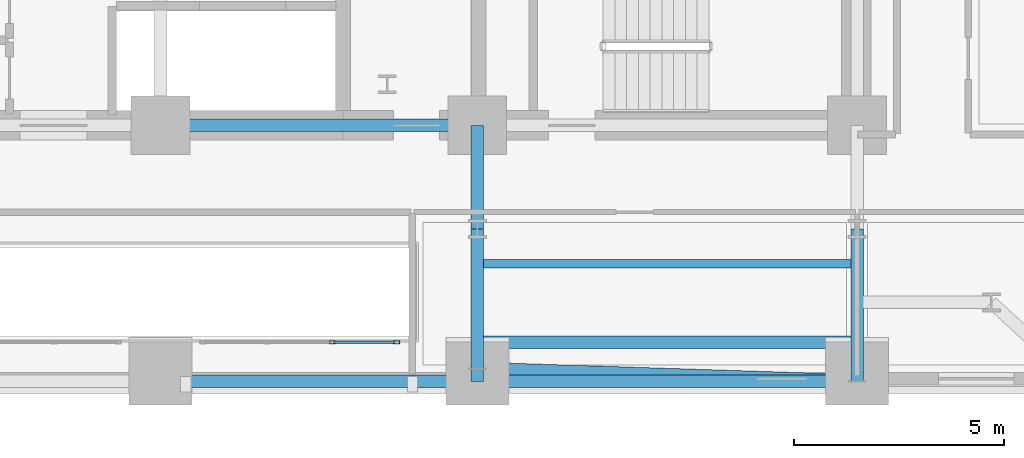
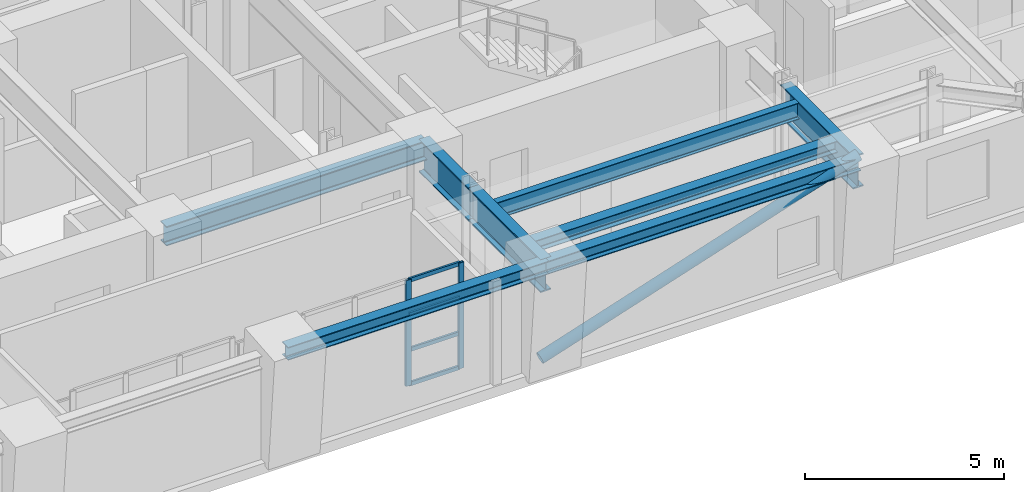
# One storey, part 4 of 16: 8 beams, 7 members, 1 element without a shape of its own.
"""IFC4 building model written with IfcOpenShell, lengths in metres."""

import ifcopenshell
import ifcopenshell.guid

model = None  # the IFC model being written
_history = None  # IfcOwnerHistory: only IFC2X3 demands one
_inside = {}  # id of a spatial element -> (the spatial element, [elements in it])
_under = {}  # id of a project, library or spatial element -> (it, [spatial elements below it])
_declared = {}  # id of a project -> (the project, [libraries it declares])
_typed = {}  # id of a type object -> (the type object, [elements of that type])
_made_of = {}  # id of a material, layer set ... -> (it, [elements and type objects made of it])


def new_model(schema):
    """Start an empty IFC model of exactly this schema.

    Asked for "IFC4X3", IfcOpenShell would pick the latest addendum, in which some entities
    have other attributes; the version numbers below select the first issue.
    IFC2X3 requires an IfcOwnerHistory on every rooted entity: one is made here for all.
    """
    global model, _history
    if schema == "IFC4X3":
        model = ifcopenshell.file(schema_version=(4, 3, 0, 0))
    else:
        model = ifcopenshell.file(schema=schema)
    _inside.clear()
    _under.clear()
    _declared.clear()
    _typed.clear()
    _made_of.clear()
    _history = None
    if model.schema == "IFC2X3":
        org = make("IfcOrganization", Name="unknown")
        user = make(
            "IfcPersonAndOrganization",
            ThePerson=make("IfcPerson", FamilyName="unknown"),
            TheOrganization=org,
        )
        app = make(
            "IfcApplication",
            ApplicationDeveloper=org,
            Version="unknown",
            ApplicationFullName="unknown",
            ApplicationIdentifier="unknown",
        )
        _history = make(
            "IfcOwnerHistory",
            OwningUser=user,
            OwningApplication=app,
            ChangeAction="ADDED",
            CreationDate=0,
        )
    return model


def make(cls, **values):
    """One entity of the class cls with the attributes given. An attribute that is None is left unset."""
    return model.create_entity(
        cls, **{name: value for name, value in values.items() if value is not None}
    )


def rooted(cls, **values):
    """An entity with a GlobalId (a new one), such as an element, a storey or a relation."""
    return make(cls, GlobalId=ifcopenshell.guid.new(), OwnerHistory=_history, **values)


def si_unit(unit_type, name, prefix=None):
    """IfcSIUnit, for example si_unit("LENGTHUNIT", "METRE", prefix="MILLI")."""
    return make("IfcSIUnit", UnitType=unit_type, Prefix=prefix, Name=name)


def assignment(units):
    """IfcUnitAssignment: the units of a project."""
    return None if units is None else make("IfcUnitAssignment", Units=units)


def point(xyz):
    """IfcCartesianPoint."""
    return None if xyz is None else make("IfcCartesianPoint", Coordinates=xyz)


def direction(xyz):
    """IfcDirection."""
    return None if xyz is None else make("IfcDirection", DirectionRatios=xyz)


def frame(location, z_axis=None, x_axis=None):
    """IfcAxis2Placement3D, a coordinate frame: its origin and axes. An axis left out is left unset."""
    return make(
        "IfcAxis2Placement3D",
        Location=point(location),
        Axis=direction(z_axis),
        RefDirection=direction(x_axis),
    )


def frame_2d(location, x_axis=None):
    """IfcAxis2Placement2D, a coordinate frame in the plane: its origin and x axis."""
    return make(
        "IfcAxis2Placement2D", Location=point(location), RefDirection=direction(x_axis)
    )


def origin():
    """The frame at (0, 0, 0) with its axes left unset."""
    return frame((0.0, 0.0, 0.0))


def origin_2d():
    """The frame at (0, 0) in the plane with its x axis left unset."""
    return frame_2d((0.0, 0.0))


def place(relative_to, where):
    """IfcLocalPlacement: puts the frame where relative to a parent placement (None: the world)."""
    return make(
        "IfcLocalPlacement", PlacementRelTo=relative_to, RelativePlacement=where
    )


def context(
    kind, dimensions, precision=None, world=None, true_north=None, identifier=None
):
    """IfcGeometricRepresentationContext, for example the 3D "Model" context."""
    return make(
        "IfcGeometricRepresentationContext",
        ContextIdentifier=identifier,
        ContextType=kind,
        CoordinateSpaceDimension=dimensions,
        Precision=precision,
        WorldCoordinateSystem=world,
        TrueNorth=true_north,
    )


def subcontext(parent, identifier, kind, view, scale=None):
    """IfcGeometricRepresentationSubContext, for example "Body" below "Model"."""
    return make(
        "IfcGeometricRepresentationSubContext",
        ContextIdentifier=identifier,
        ContextType=kind,
        ParentContext=parent,
        TargetScale=scale,
        TargetView=view,
    )


def project(units=None, contexts=None):
    """IfcProject with its units and contexts."""
    return rooted(
        "IfcProject",
        Name="project",
        RepresentationContexts=contexts,
        UnitsInContext=assignment(units),
    )


def spatial(cls, under=None, at=None, **own):
    """A site, building, storey or space (cls), placed at a placement, below another one or the project."""
    s = rooted(cls, ObjectPlacement=at, **own)
    if under is not None:
        _under.setdefault(under.id(), (under, []))[1].append(s)
    return s


def profile(cls, at=None, kind="AREA", **sizes):
    """A parametric profile (cls). Its sizes go by their IFC names, for example OverallWidth=200.0."""
    return make(cls, ProfileType=kind, Position=at, **sizes)


def hollow_rectangle(**sizes):
    """IfcRectangleHollowProfileDef."""
    return profile("IfcRectangleHollowProfileDef", **sizes)


def hollow_circle(**sizes):
    """IfcCircleHollowProfileDef."""
    return profile("IfcCircleHollowProfileDef", **sizes)


def i_section(**sizes):
    """IfcIShapeProfileDef."""
    return profile("IfcIShapeProfileDef", **sizes)


def extrude(swept, where, along, depth):
    """IfcExtrudedAreaSolid: the profile swept, set in the frame where, extruded along a direction by depth."""
    return make(
        "IfcExtrudedAreaSolid",
        SweptArea=swept,
        Position=where,
        ExtrudedDirection=direction(along),
        Depth=depth,
    )


def shape(context_of_items, identifier, shape_type, items):
    """IfcShapeRepresentation: the items that make up one representation, for example the "Body"."""
    return make(
        "IfcShapeRepresentation",
        ContextOfItems=context_of_items,
        RepresentationIdentifier=identifier,
        RepresentationType=shape_type,
        Items=items,
    )


def material(Name=None, Category=None):
    """IfcMaterial."""
    return make("IfcMaterial", Name=Name, Category=Category)


def layer(
    of_material, thickness, ventilated=None, Name=None, Category=None, Priority=None
):
    """IfcMaterialLayer: one layer of a wall or slab, of a material (None: an air gap)."""
    return make(
        "IfcMaterialLayer",
        Material=of_material,
        LayerThickness=thickness,
        IsVentilated=ventilated,
        Name=Name,
        Category=Category,
        Priority=Priority,
    )


def layer_set(layers, Name=None):
    """IfcMaterialLayerSet."""
    return make("IfcMaterialLayerSet", MaterialLayers=layers, LayerSetName=Name)


def material_profile(
    of_material, cross_section, Name=None, Category=None, Priority=None
):
    """IfcMaterialProfile: a cross section and its material."""
    return make(
        "IfcMaterialProfile",
        Name=Name,
        Material=of_material,
        Profile=cross_section,
        Priority=Priority,
        Category=Category,
    )


def profile_set(profiles, Name=None, composite=None):
    """IfcMaterialProfileSet."""
    return make(
        "IfcMaterialProfileSet",
        Name=Name,
        MaterialProfiles=profiles,
        CompositeProfile=composite,
    )


def made_of(thing, what):
    """Note that an element or type object is made of a material, layer set ...; save() writes the relation."""
    if what is not None:
        _made_of.setdefault(what.id(), (what, []))[1].append(thing)
    return thing


def type_object(cls, material=None, **own):
    """A type object (cls), such as IfcWallType, which elements share."""
    return made_of(rooted(cls, **own), material)


def element(
    cls,
    number,
    at=None,
    inside=None,
    cuts=None,
    type_object=None,
    material=None,
    context=None,
    identifier="Body",
    shape_type=None,
    held_by="IfcProductDefinitionShape",
    body=None,
    shapes=None,
    **own,
):
    """One element of the class cls, such as IfcWall. Its Tag is "e" and its number.

    at: its placement. inside: the storey or other place that contains it. cuts: it is an
    opening in that element (IfcRelVoidsElement). A single representation is given by context,
    identifier, shape_type and body (its items); several are given by shapes. held_by: the class
    of the entity that holds the representations. save() writes the other relations.
    """
    e = rooted(cls, Tag="e%d" % number, ObjectPlacement=at, **own)
    if body is not None:
        shapes = [shape(context, identifier, shape_type, body)]
    if shapes is not None:
        e.Representation = make(held_by, Representations=shapes)
    if inside is not None:
        _inside.setdefault(inside.id(), (inside, []))[1].append(e)
    if cuts is not None:
        rooted(
            "IfcRelVoidsElement", RelatingBuildingElement=cuts, RelatedOpeningElement=e
        )
    if type_object is not None:
        _typed.setdefault(type_object.id(), (type_object, []))[1].append(e)
    return made_of(e, material)


def aggregate(whole, parts):
    """IfcRelAggregates: a whole, such as a stair, and the parts it consists of."""
    return rooted("IfcRelAggregates", RelatingObject=whole, RelatedObjects=parts)


def save(model, path):
    """Write the relations noted so far, then the file.

    IfcRelAggregates (storeys below a building ...), IfcRelContainedInSpatialStructure (elements
    in a storey), IfcRelDefinesByType, IfcRelAssociatesMaterial and IfcRelDeclares: one each for
    every whole, place, type object, material and project.
    """
    for whole, parts in _under.values():
        aggregate(whole, parts)
    for where, things in _inside.values():
        rooted(
            "IfcRelContainedInSpatialStructure",
            RelatedElements=things,
            RelatingStructure=where,
        )
    for kind, things in _typed.values():
        rooted("IfcRelDefinesByType", RelatedObjects=things, RelatingType=kind)
    for what, things in _made_of.values():
        rooted("IfcRelAssociatesMaterial", RelatedObjects=things, RelatingMaterial=what)
    for by, libraries in _declared.values():
        rooted("IfcRelDeclares", RelatingContext=by, RelatedDefinitions=libraries)
    model.write(path)


model = new_model("IFC4")

# Units and contexts
model_context = context("Model", 3, precision=1e-05, world=origin(), true_north=direction((0.0, 1.0)))
body_context = subcontext(model_context, "Body", "Model", "MODEL_VIEW")
ifc_project = project(units=[si_unit("LENGTHUNIT", "METRE"), si_unit("AREAUNIT", "SQUARE_METRE"), si_unit("VOLUMEUNIT", "CUBIC_METRE"), si_unit("PLANEANGLEUNIT", "RADIAN"), si_unit("MASSUNIT", "GRAM", prefix="KILO")], contexts=[model_context])

# Site, building, storey
site_placement = place(None, origin())
site = spatial("IfcSite", under=ifc_project, at=site_placement, CompositionType="ELEMENT")
building_placement = place(site_placement, origin())
building = spatial("IfcBuilding", under=site, at=building_placement, Name="Zarnavel Station Tower", CompositionType="ELEMENT")
storey_placement = place(building_placement, frame((0.0, 0.0, 46.5)))
storey = spatial("IfcBuildingStorey", under=building, at=storey_placement, Name="L12", CompositionType="ELEMENT", Elevation=46.5)

# Curtain wall, members
ifc_material_1 = material(Name="Aluminium Dark Anodised and Solar-Control Glass", Category="aluminium")
ifc_layer = layer(ifc_material_1, 0.179931640625)
ifc_layer_set = layer_set([ifc_layer], Name="CWS2")
curtain_wall_type = type_object("IfcCurtainWallType", Name="CWS2", PredefinedType="NOTDEFINED", material=ifc_layer_set)
curtain_wall_placement = place(storey_placement, origin())
curtain_wall = element("IfcCurtainWall", 1, at=curtain_wall_placement, inside=storey, type_object=curtain_wall_type, Name="L12 Curtain Wall CWS2-L12-AS-S2", PredefinedType="NOTDEFINED")
ifc_material_2 = material(Name="Steel S355J2 (Black Fluoropolymer Coated)", Category="steel")
ifc_material_profile_1 = material_profile(ifc_material_2, hollow_rectangle(XDim=0.074951171875, YDim=0.14990234375, WallThickness=0.00634765625, at=origin_2d()), Name="RHS150x75x6.3")
ifc_profile_set_1 = profile_set([ifc_material_profile_1], Name="Steel S355J2 (Black Fluoropolymer Coated)")
member_type_1 = type_object("IfcMemberType", Name="CWS2_MUL", PredefinedType="MULLION", material=ifc_profile_set_1)
member_1_placement = place(storey_placement, frame((32.893310546875, 22.64990234375, 0.0), z_axis=(0.0, 0.0, 1.0), x_axis=(0.0, 1.0, 0.0)))
member_1 = element("IfcMember", 2, at=member_1_placement, type_object=member_type_1, Name="CW2 mullion 3", PredefinedType="MULLION", context=body_context, shape_type="SweptSolid", body=[
    extrude(hollow_rectangle(XDim=0.074951171875, YDim=0.14990234375, WallThickness=0.00634765625, at=origin_2d()), origin(), (0.0, 0.0, 1.0), 3.239990234375),
])
member_2_placement = place(storey_placement, frame((34.419921875, 22.64990234375, 0.0), z_axis=(0.0, 0.0, 1.0), x_axis=(0.0, 1.0, 0.0)))
member_2 = element("IfcMember", 3, at=member_2_placement, type_object=member_type_1, Name="CW2 mullion 4", PredefinedType="MULLION", context=body_context, shape_type="SweptSolid", body=[
    extrude(hollow_rectangle(XDim=0.074951171875, YDim=0.14990234375, WallThickness=0.00634765625, at=origin_2d()), origin(), (0.0, 0.0, 1.0), 3.239990234375),
])
ifc_material_3 = material(Name="Steel S355J2 (Black Fluoropolymer Coated)", Category="steel")
ifc_material_profile_2 = material_profile(ifc_material_3, hollow_rectangle(XDim=0.06005859375, YDim=0.1201171875, WallThickness=0.0048828125, at=origin_2d()), Name="RHS120x60x5")
ifc_profile_set_2 = profile_set([ifc_material_profile_2], Name="Steel S355J2 (Black Fluoropolymer Coated)")
member_type_2 = type_object("IfcMemberType", Name="CWS2_TRN", PredefinedType="USERDEFINED", material=ifc_profile_set_2)
member_3_placement = place(storey_placement, frame((32.92333984375, 22.64990234375, 0.030029296875), z_axis=(1.0, 0.0, 0.0), x_axis=(0.0, 1.0, 0.0)))
member_3 = element("IfcMember", 4, at=member_3_placement, type_object=member_type_2, Name="CW2 transom 3.1", ObjectType="TRANSOM", PredefinedType="USERDEFINED", context=body_context, shape_type="SweptSolid", body=[
    extrude(hollow_rectangle(XDim=0.06005859375, YDim=0.1201171875, WallThickness=0.0048828125, at=origin_2d()), origin(), (0.0, 0.0, 1.0), 1.466552734375),
])
member_4_placement = place(storey_placement, frame((32.92333984375, 22.64990234375, 1.080078125), z_axis=(1.0, 0.0, 0.0), x_axis=(0.0, 1.0, 0.0)))
member_4 = element("IfcMember", 5, at=member_4_placement, type_object=member_type_2, Name="CW2 transom 3.2", ObjectType="TRANSOM", PredefinedType="USERDEFINED", context=body_context, shape_type="SweptSolid", body=[
    extrude(hollow_rectangle(XDim=0.06005859375, YDim=0.1201171875, WallThickness=0.0048828125, at=origin_2d()), origin(), (0.0, 0.0, 1.0), 1.466552734375),
])
member_5_placement = place(storey_placement, frame((32.92333984375, 22.64990234375, 2.159912109375), z_axis=(1.0, 0.0, 0.0), x_axis=(0.0, 1.0, 0.0)))
member_5 = element("IfcMember", 6, at=member_5_placement, type_object=member_type_2, Name="CW2 transom 3.3", ObjectType="TRANSOM", PredefinedType="USERDEFINED", context=body_context, shape_type="SweptSolid", body=[
    extrude(hollow_rectangle(XDim=0.06005859375, YDim=0.1201171875, WallThickness=0.0048828125, at=origin_2d()), origin(), (0.0, 0.0, 1.0), 1.466552734375),
])
member_6_placement = place(storey_placement, frame((32.92333984375, 22.64990234375, 3.2099609375), z_axis=(1.0, 0.0, 0.0), x_axis=(0.0, 1.0, 0.0)))
member_6 = element("IfcMember", 7, at=member_6_placement, type_object=member_type_2, Name="CW2 transom 3.4", ObjectType="TRANSOM", PredefinedType="USERDEFINED", context=body_context, shape_type="SweptSolid", body=[
    extrude(hollow_rectangle(XDim=0.06005859375, YDim=0.1201171875, WallThickness=0.0048828125, at=origin_2d()), origin(), (0.0, 0.0, 1.0), 1.466552734375),
])
aggregate(curtain_wall, [member_1, member_2, member_3, member_4, member_5, member_6])

# Member
ifc_material_4 = material(Name="Steel S355J2", Category="steel")
ifc_material_profile_3 = material_profile(ifc_material_4, hollow_circle(Radius=0.161865234375, WallThickness=0.012451171875, at=origin_2d()), Name="CHS323.9x12.5")
ifc_profile_set_3 = profile_set([ifc_material_profile_3], Name="Steel S355J2")
member_type_3 = type_object("IfcMemberType", Name="DB_EXT_CHS324", PredefinedType="BRACE", material=ifc_profile_set_3)
member_7_placement = place(storey_placement, frame((36.35009765625, 22.01416015625, 0.0), z_axis=(0.94104157458, -0.030540439576, 0.336909537505), x_axis=(0.032436790978, 0.999473788846, 0.0)))
element("IfcMember", 8, at=member_7_placement, inside=storey, type_object=member_type_3, Name="L12 Persian Exterior Diagonal Frame Brace 2", PredefinedType="BRACE", context=body_context, shape_type="SweptSolid", body=[
    extrude(hollow_circle(Radius=0.161865234375, WallThickness=0.012451171875, at=origin_2d()), origin(), (0.0, 0.0, 1.0), 9.61669921875),
])

# Beams
ifc_material_5 = material(Name="Steel S355J2", Category="steel")
ifc_material_profile_4 = material_profile(ifc_material_5, i_section(OverallWidth=0.300048828125, OverallDepth=0.39990234375, WebThickness=0.013427734375, FlangeThickness=0.02392578125, FilletRadius=0.027099609375, at=origin_2d()), Name="HEB400")
ifc_profile_set_4 = profile_set([ifc_material_profile_4], Name="Steel S355J2")
beam_type_1 = type_object("IfcBeamType", Name="EB_HEB400", PredefinedType="SPANDREL", material=ifc_profile_set_4)
beam_1_placement = place(storey_placement, frame((28.800048828125, 21.720458984375, 3.0400390625), z_axis=(1.0, 0.0, 0.0), x_axis=(0.0, 1.0, 0.0)))
element("IfcBeam", 9, at=beam_1_placement, inside=storey, type_object=beam_type_1, Name="L12 South Raked Spandrel 3", PredefinedType="SPANDREL", context=body_context, shape_type="SweptSolid", body=[
    extrude(i_section(OverallWidth=0.300048828125, OverallDepth=0.39990234375, WebThickness=0.013427734375, FlangeThickness=0.02392578125, FilletRadius=0.027099609375, at=origin_2d()), origin(), (0.0, 0.0, 1.0), 7.550048828125),
])
beam_2_placement = place(storey_placement, frame((36.35009765625, 21.720458984375, 3.0400390625), z_axis=(1.0, 0.0, 0.0), x_axis=(0.0, 1.0, 0.0)))
element("IfcBeam", 10, at=beam_2_placement, inside=storey, type_object=beam_type_1, Name="L12 South Raked Spandrel 4", PredefinedType="SPANDREL", context=body_context, shape_type="SweptSolid", body=[
    extrude(i_section(OverallWidth=0.300048828125, OverallDepth=0.39990234375, WebThickness=0.013427734375, FlangeThickness=0.02392578125, FilletRadius=0.027099609375, at=origin_2d()), origin(), (0.0, 0.0, 1.0), 9.0498046875),
])
ifc_material_6 = material(Name="Steel S355J2", Category="steel")
ifc_material_profile_5 = material_profile(ifc_material_6, i_section(OverallWidth=0.300048828125, OverallDepth=0.35009765625, WebThickness=0.010009765625, FlangeThickness=0.017578125, FilletRadius=0.027099609375, at=origin_2d()), Name="HEA360")
ifc_profile_set_5 = profile_set([ifc_material_profile_5], Name="Steel S355J2")
beam_type_2 = type_object("IfcBeamType", Name="FB_HEA360", PredefinedType="BEAM", material=ifc_profile_set_5)
beam_3_placement = place(storey_placement, frame((36.4951171875, 22.64697265625, 3.06494140625), z_axis=(1.0, 0.0, 0.0), x_axis=(0.0, 1.0, 0.0)))
element("IfcBeam", 11, at=beam_3_placement, inside=storey, type_object=beam_type_2, Name="L12 East Bay Beam 1", PredefinedType="BEAM", context=body_context, shape_type="SweptSolid", body=[
    extrude(i_section(OverallWidth=0.300048828125, OverallDepth=0.35009765625, WebThickness=0.010009765625, FlangeThickness=0.017578125, FilletRadius=0.027099609375, at=origin_2d()), origin(), (0.0, 0.0, 1.0), 8.759765625),
])
ifc_material_7 = material(Name="Steel S355J2", Category="steel")
ifc_material_profile_6 = material_profile(ifc_material_7, i_section(OverallWidth=0.199951171875, OverallDepth=0.5, WebThickness=0.01025390625, FlangeThickness=0.01611328125, FilletRadius=0.02099609375, at=origin_2d()), Name="IPE500")
ifc_profile_set_6 = profile_set([ifc_material_profile_6], Name="Steel S355J2")
beam_type_3 = type_object("IfcBeamType", Name="FB_IPE500", PredefinedType="BEAM", material=ifc_profile_set_6)
beam_4_placement = place(storey_placement, frame((36.4951171875, 24.5234375, 2.989990234375), z_axis=(1.0, 0.0, 0.0), x_axis=(0.0, 1.0, 0.0)))
element("IfcBeam", 12, at=beam_4_placement, inside=storey, type_object=beam_type_3, Name="L12 East Bay Beam 2", PredefinedType="BEAM", context=body_context, shape_type="SweptSolid", body=[
    extrude(i_section(OverallWidth=0.199951171875, OverallDepth=0.5, WebThickness=0.01025390625, FlangeThickness=0.01611328125, FilletRadius=0.02099609375, at=origin_2d()), origin(), (0.0, 0.0, 1.0), 8.759765625),
])
ifc_material_8 = material(Name="Steel S355J2", Category="steel")
ifc_material_profile_7 = material_profile(ifc_material_8, i_section(OverallWidth=0.300048828125, OverallDepth=0.60009765625, WebThickness=0.015380859375, FlangeThickness=0.030029296875, FilletRadius=0.027099609375, at=origin_2d()), Name="HEB600")
ifc_profile_set_7 = profile_set([ifc_material_profile_7], Name="Steel S355J2")
beam_type_4 = type_object("IfcBeamType", Name="FG_HEB600", PredefinedType="USERDEFINED", material=ifc_profile_set_7)
beam_5_placement = place(storey_placement, frame((28.800048828125, 27.820068359375, 2.93994140625), z_axis=(1.0, 0.0, 0.0), x_axis=(0.0, 1.0, 0.0)))
element("IfcBeam", 13, at=beam_5_placement, inside=storey, type_object=beam_type_4, Name="L12 Core Front Coupling Beam 3", ObjectType="GIRDER", PredefinedType="USERDEFINED", context=body_context, shape_type="SweptSolid", body=[
    extrude(i_section(OverallWidth=0.300048828125, OverallDepth=0.60009765625, WebThickness=0.015380859375, FlangeThickness=0.030029296875, FilletRadius=0.027099609375, at=origin_2d()), origin(), (0.0, 0.0, 1.0), 7.550048828125),
])
ifc_material_9 = material(Name="Steel S460M", Category="steel")
ifc_material_profile_8 = material_profile(ifc_material_9, i_section(OverallWidth=0.302001953125, OverallDepth=1.008056640625, WebThickness=0.02099609375, FlangeThickness=0.0400390625, FilletRadius=0.030029296875, at=origin_2d()), Name="HEM1000")
ifc_profile_set_8 = profile_set([ifc_material_profile_8], Name="Steel S460M")
beam_type_5 = type_object("IfcBeamType", Name="TG_HEM1000", PredefinedType="USERDEFINED", material=ifc_profile_set_8)
beam_6_placement = place(storey_placement, frame((36.35009765625, 21.720458984375, 2.736083984375), z_axis=(0.0, 1.0, 0.0), x_axis=(-1.0, 0.0, 0.0)))
element("IfcBeam", 14, at=beam_6_placement, inside=storey, type_object=beam_type_5, Name="L12 South-Zone NS Girder 4", ObjectType="GIRDER", PredefinedType="USERDEFINED", context=body_context, shape_type="SweptSolid", body=[
    extrude(i_section(OverallWidth=0.302001953125, OverallDepth=1.008056640625, WebThickness=0.02099609375, FlangeThickness=0.0400390625, FilletRadius=0.030029296875, at=origin_2d()), origin(), (0.0, 0.0, 1.0), 3.629638671875),
])
beam_7_placement = place(storey_placement, frame((36.35009765625, 25.35009765625, 2.736083984375), z_axis=(0.0, 1.0, 0.0), x_axis=(-1.0, 0.0, 0.0)))
element("IfcBeam", 15, at=beam_7_placement, inside=storey, type_object=beam_type_5, Name="L12 Inner-Zone NS Girder 4", ObjectType="GIRDER", PredefinedType="USERDEFINED", context=body_context, shape_type="SweptSolid", body=[
    extrude(i_section(OverallWidth=0.302001953125, OverallDepth=1.008056640625, WebThickness=0.02099609375, FlangeThickness=0.0400390625, FilletRadius=0.030029296875, at=origin_2d()), origin(), (0.0, 0.0, 1.0), 2.469970703125),
])
beam_8_placement = place(storey_placement, frame((45.39990234375, 21.720458984375, 2.736083984375), z_axis=(0.0, 1.0, 0.0), x_axis=(-1.0, 0.0, 0.0)))
element("IfcBeam", 16, at=beam_8_placement, inside=storey, type_object=beam_type_5, Name="L12 South-Zone NS Girder 5", ObjectType="GIRDER", PredefinedType="USERDEFINED", context=body_context, shape_type="SweptSolid", body=[
    extrude(i_section(OverallWidth=0.302001953125, OverallDepth=1.008056640625, WebThickness=0.02099609375, FlangeThickness=0.0400390625, FilletRadius=0.030029296875, at=origin_2d()), origin(), (0.0, 0.0, 1.0), 3.629638671875),
])

save(model, "model.ifc")
